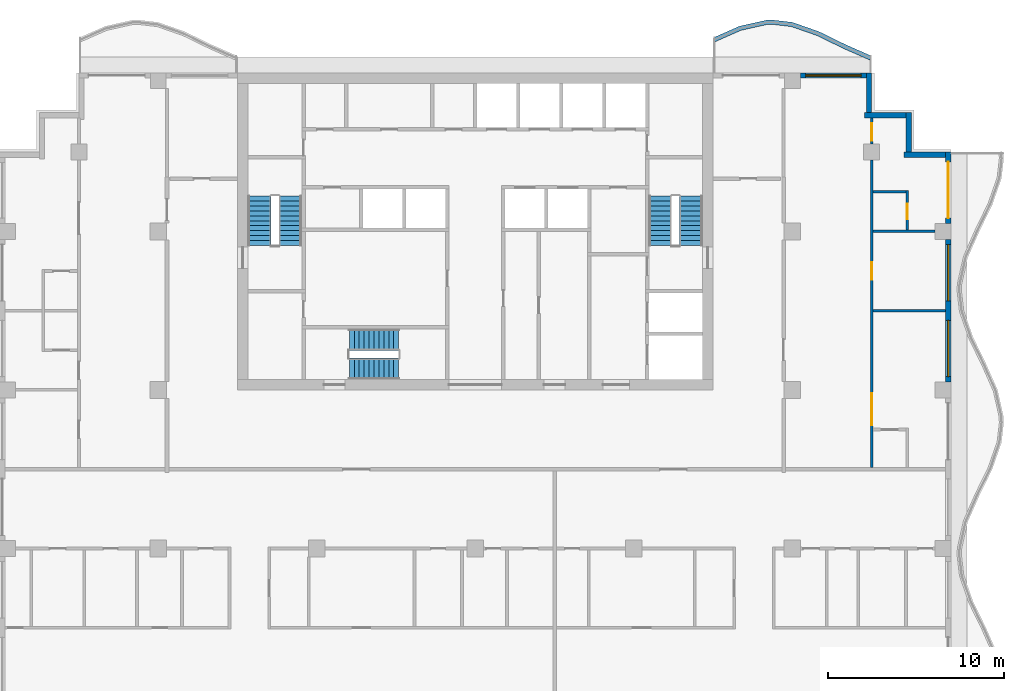
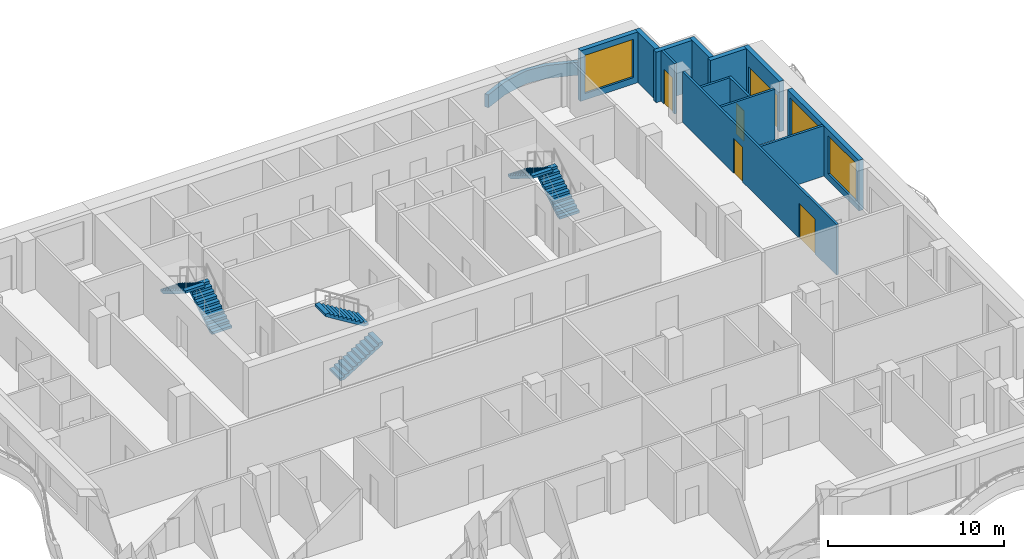
# One storey, part 7 of 11: 14 walls, 6 stair flights, 5 doors, 3 windows, 8 openings, 3 elements without a shape of their own.
"""IFC4 building model written with IfcOpenShell, lengths in metres."""

from ifc_helpers import new_model, si_unit, direction, frame, frame_2d, origin, place, context, subcontext, project, spatial, polyline, rectangle, outline, extrude, material, layer, layer_set, type_object, element, fill, aggregate, save


model = new_model("IFC4")

# Units and contexts
model_context = context("Model", 3, precision=1e-05, world=origin(), true_north=direction((0.0, 1.0)))
body_context = subcontext(model_context, "Body", "Model", "MODEL_VIEW")
ifc_project = project(units=[si_unit("LENGTHUNIT", "METRE"), si_unit("AREAUNIT", "SQUARE_METRE"), si_unit("VOLUMEUNIT", "CUBIC_METRE"), si_unit("PLANEANGLEUNIT", "RADIAN"), si_unit("MASSUNIT", "GRAM", prefix="KILO")], contexts=[model_context])

# Site, building, storey
site_placement = place(None, origin())
site = spatial("IfcSite", under=ifc_project, at=site_placement, CompositionType="ELEMENT")
building_placement = place(site_placement, origin())
building = spatial("IfcBuilding", under=site, at=building_placement, Name="Orbiselva Terraces", CompositionType="ELEMENT")
storey_placement = place(building_placement, frame((0.0, 0.0, 269.2)))
storey = spatial("IfcBuildingStorey", under=building, at=storey_placement, Name="L68", CompositionType="ELEMENT", Elevation=269.2)

# Wall
ifc_material_1 = material(Name="Concrete C40/50", Category="concrete")
ifc_layer_1 = layer(ifc_material_1, 0.25)
ifc_layer_set_1 = layer_set([ifc_layer_1], Name="Concrete C40/50")
wall_type_1 = type_object("IfcWallType", Name="ENV-PLANTER-250x900", PredefinedType="USERDEFINED", material=ifc_layer_set_1)
wall_1_placement = place(storey_placement, origin())
element("IfcWall", 1, at=wall_1_placement, inside=storey, type_object=wall_type_1, Name="Balcony planter L68 NE", ObjectType="PLANTER", PredefinedType="USERDEFINED", context=body_context, shape_type="SweptSolid", body=[
    extrude(outline(polyline([(22.5, 23.451472), (21.0, 24.112279), (19.5, 24.844789), (18.0, 25.369208), (16.875, 25.5), (16.5, 25.485226), (15.0, 25.148528), (13.5, 24.487721), (13.600788, 24.258938), (15.078508, 24.90993), (16.532565, 25.236315), (16.865428, 25.249429), (17.943629, 25.124078), (19.40356, 24.613667), (20.894714, 23.885477), (22.399212, 23.222689), (22.5, 23.451472)])), origin(), (0.0, 0.0, 1.0), 0.9),
])

# Wall, openings, windows
ifc_material_2 = material(Name="Terracotta cladding on masonry backing", Category="masonry")
ifc_layer_2 = layer(ifc_material_2, 0.3)
ifc_layer_set_2 = layer_set([ifc_layer_2], Name="Terracotta cladding on masonry backing")
wall_type_2 = type_object("IfcWallType", Name="ENV-WALL-TERRACOTTA-300", PredefinedType="SOLIDWALL", material=ifc_layer_set_2)
wall_2_placement = place(storey_placement, frame((26.85, 13.05, 0.0), z_axis=(0.0, 0.0, 1.0), x_axis=(0.0, -1.0, 0.0)))
wall_2 = element("IfcWall", 2, at=wall_2_placement, inside=storey, type_object=wall_type_2, Name="Facade wall L68 E", PredefinedType="SOLIDWALL", context=body_context, shape_type="SweptSolid", body=[
    extrude(rectangle(XDim=8.1, YDim=0.3, at=frame_2d((4.05, 0.0))), origin(), (0.0, 0.0, 1.0), 3.5),
])
opening_1_placement = place(wall_2_placement, frame((4.6, 0.0, 0.45)))
opening_1 = element("IfcOpeningElement", 3, at=opening_1_placement, cuts=wall_2, Name="Opening WN17", PredefinedType="OPENING", context=body_context, shape_type="SweptSolid", body=[
    extrude(rectangle(XDim=3.2, YDim=2.65, at=frame_2d((1.6, 1.325))), frame((0.0, 0.16, 0.0), z_axis=(0.0, -1.0, 0.0), x_axis=(1.0, 0.0, 0.0)), (0.0, 0.0, 1.0), 0.32),
])
opening_2_placement = place(wall_2_placement, frame((0.3, 0.0, 0.45)))
opening_2 = element("IfcOpeningElement", 4, at=opening_2_placement, cuts=wall_2, Name="Opening WN17", PredefinedType="OPENING", context=body_context, shape_type="SweptSolid", body=[
    extrude(rectangle(XDim=3.2, YDim=2.65, at=frame_2d((1.6, 1.325))), frame((0.0, 0.16, 0.0), z_axis=(0.0, -1.0, 0.0), x_axis=(1.0, 0.0, 0.0)), (0.0, 0.0, 1.0), 0.32),
])
ifc_material_3 = material(Name="Clear low-e glazing in aluminium frame", Category="aluminium")
window_type_1 = type_object("IfcWindowType", Name="WINDOW 3200 X 2650 S450", PartitioningType="TRIPLE_PANEL_VERTICAL", PredefinedType="WINDOW", material=ifc_material_3)
window_1_placement = place(opening_1_placement, origin())
window_1 = element("IfcWindow", 5, at=window_1_placement, inside=storey, type_object=window_type_1, Name="Window L68 E", OverallHeight=2.65, OverallWidth=3.2, PartitioningType="SINGLE_PANEL", PredefinedType="WINDOW", context=body_context, shape_type="SweptSolid", body=[
    extrude(rectangle(XDim=3.2, YDim=2.65, at=frame_2d((1.6, 1.325))), frame((0.0, 0.03, 0.0), z_axis=(0.0, -1.0, 0.0), x_axis=(1.0, 0.0, 0.0)), (0.0, 0.0, 1.0), 0.06),
])
fill(opening_1, window_1)
window_2_placement = place(opening_2_placement, origin())
window_2 = element("IfcWindow", 6, at=window_2_placement, inside=storey, type_object=window_type_1, Name="Window L68 E", OverallHeight=2.65, OverallWidth=3.2, PartitioningType="SINGLE_PANEL", PredefinedType="WINDOW", context=body_context, shape_type="SweptSolid", body=[
    extrude(rectangle(XDim=3.2, YDim=2.65, at=frame_2d((1.6, 1.325))), frame((0.0, 0.03, 0.0), z_axis=(0.0, -1.0, 0.0), x_axis=(1.0, 0.0, 0.0)), (0.0, 0.0, 1.0), 0.06),
])
fill(opening_2, window_2)

# Wall, opening, door
wall_3_placement = place(storey_placement, frame((26.85, 18.0, 0.0), z_axis=(0.0, 0.0, 1.0), x_axis=(0.0, -1.0, 0.0)))
wall_3 = element("IfcWall", 7, at=wall_3_placement, inside=storey, type_object=wall_type_2, Name="Facade wall L68 E", PredefinedType="SOLIDWALL", context=body_context, shape_type="SweptSolid", body=[
    extrude(rectangle(XDim=4.05, YDim=0.3, at=frame_2d((2.025, 0.0))), origin(), (0.0, 0.0, 1.0), 3.5),
])
opening_3_placement = place(wall_3_placement, frame((0.55, 0.0, 0.0)))
opening_3 = element("IfcOpeningElement", 8, at=opening_3_placement, cuts=wall_3, Name="Opening Z5-C-E17", PredefinedType="OPENING", context=body_context, shape_type="SweptSolid", body=[
    extrude(rectangle(XDim=3.2, YDim=2.4, at=frame_2d((1.6, 1.2))), frame((0.0, 0.16, 0.0), z_axis=(0.0, -1.0, 0.0), x_axis=(1.0, 0.0, 0.0)), (0.0, 0.0, 1.0), 0.32),
])
door_type_1 = type_object("IfcDoorType", Name="BALCONY DOOR 3200 X 2400", OperationType="DOUBLE_DOOR_SLIDING", PredefinedType="DOOR", material=ifc_material_3)
door_1_placement = place(opening_3_placement, origin())
door_1 = element("IfcDoor", 9, at=door_1_placement, inside=storey, type_object=door_type_1, Name="Z5-C-E17", OperationType="SINGLE_SWING_LEFT", OverallHeight=2.4, OverallWidth=3.2, PredefinedType="DOOR", context=body_context, shape_type="SweptSolid", body=[
    extrude(rectangle(XDim=3.2, YDim=2.4, at=frame_2d((1.6, 1.2))), frame((0.0, 0.025, 0.0), z_axis=(0.0, -1.0, 0.0), x_axis=(1.0, 0.0, 0.0)), (0.0, 0.0, 1.0), 0.05),
])
fill(opening_3, door_1)

# Walls
wall_4_placement = place(storey_placement, frame((24.35, 17.85, 0.0), z_axis=(0.0, 0.0, 1.0), x_axis=(1.0, 0.0, 0.0)))
element("IfcWall", 10, at=wall_4_placement, inside=storey, type_object=wall_type_2, Name="Facade wall L68 STEP", PredefinedType="SOLIDWALL", context=body_context, shape_type="SweptSolid", body=[
    extrude(rectangle(XDim=2.35, YDim=0.3, at=frame_2d((1.175, 0.0))), origin(), (0.0, 0.0, 1.0), 3.5),
])
wall_5_placement = place(storey_placement, frame((24.6, 20.25, 0.0), z_axis=(0.0, 0.0, 1.0), x_axis=(0.0, -1.0, 0.0)))
element("IfcWall", 11, at=wall_5_placement, inside=storey, type_object=wall_type_2, Name="Facade wall L68 STEP", PredefinedType="SOLIDWALL", context=body_context, shape_type="SweptSolid", body=[
    extrude(rectangle(XDim=2.25, YDim=0.3, at=frame_2d((1.125, 0.0))), origin(), (0.0, 0.0, 1.0), 3.5),
])
wall_6_placement = place(storey_placement, frame((22.1, 20.1, 0.0), z_axis=(0.0, 0.0, 1.0), x_axis=(1.0, 0.0, 0.0)))
element("IfcWall", 12, at=wall_6_placement, inside=storey, type_object=wall_type_2, Name="Facade wall L68 STEP", PredefinedType="SOLIDWALL", context=body_context, shape_type="SweptSolid", body=[
    extrude(rectangle(XDim=2.35, YDim=0.3, at=frame_2d((1.175, 0.0))), origin(), (0.0, 0.0, 1.0), 3.5),
])
wall_7_placement = place(storey_placement, frame((22.35, 22.5, 0.0), z_axis=(0.0, 0.0, 1.0), x_axis=(0.0, -1.0, 0.0)))
element("IfcWall", 13, at=wall_7_placement, inside=storey, type_object=wall_type_2, Name="Facade wall L68 STEP", PredefinedType="SOLIDWALL", context=body_context, shape_type="SweptSolid", body=[
    extrude(rectangle(XDim=2.25, YDim=0.3, at=frame_2d((1.125, 0.0))), origin(), (0.0, 0.0, 1.0), 3.5),
])

# Wall, opening, window
wall_8_placement = place(storey_placement, frame((18.45, 22.35, 0.0), z_axis=(0.0, 0.0, 1.0), x_axis=(1.0, 0.0, 0.0)))
wall_8 = element("IfcWall", 14, at=wall_8_placement, inside=storey, type_object=wall_type_2, Name="Facade wall L68 NE", PredefinedType="SOLIDWALL", context=body_context, shape_type="SweptSolid", body=[
    extrude(rectangle(XDim=3.75, YDim=0.3, at=frame_2d((1.875, 0.0))), origin(), (0.0, 0.0, 1.0), 3.5),
])
opening_4_placement = place(wall_8_placement, frame((0.3, 0.0, 0.45)))
opening_4 = element("IfcOpeningElement", 15, at=opening_4_placement, cuts=wall_8, Name="Opening WN16", PredefinedType="OPENING", context=body_context, shape_type="SweptSolid", body=[
    extrude(rectangle(XDim=3.15, YDim=2.65, at=frame_2d((1.575, 1.325))), frame((0.0, 0.16, 0.0), z_axis=(0.0, -1.0, 0.0), x_axis=(1.0, 0.0, 0.0)), (0.0, 0.0, 1.0), 0.32),
])
window_type_2 = type_object("IfcWindowType", Name="WINDOW 3150 X 2650 S450", PartitioningType="TRIPLE_PANEL_VERTICAL", PredefinedType="WINDOW", material=ifc_material_3)
window_3_placement = place(opening_4_placement, origin())
window_3 = element("IfcWindow", 16, at=window_3_placement, inside=storey, type_object=window_type_2, Name="Window L68 NE", OverallHeight=2.65, OverallWidth=3.15, PartitioningType="SINGLE_PANEL", PredefinedType="WINDOW", context=body_context, shape_type="SweptSolid", body=[
    extrude(rectangle(XDim=3.15, YDim=2.65, at=frame_2d((1.575, 1.325))), frame((0.0, 0.03, 0.0), z_axis=(0.0, -1.0, 0.0), x_axis=(1.0, 0.0, 0.0)), (0.0, 0.0, 1.0), 0.06),
])
fill(opening_4, window_3)

# Walls
ifc_material_4 = material(Name="Plasterboard on steel stud partition", Category="steel")
ifc_layer_3 = layer(ifc_material_4, 0.15)
ifc_layer_set_3 = layer_set([ifc_layer_3], Name="Plasterboard on steel stud partition")
wall_type_3 = type_object("IfcWallType", Name="UNIT-PARTITION-150", PredefinedType="PARTITIONING", material=ifc_layer_set_3)
wall_9_placement = place(storey_placement, frame((22.575, 9.0, 0.0), z_axis=(0.0, 0.0, 1.0), x_axis=(1.0, 0.0, 0.0)))
element("IfcWall", 17, at=wall_9_placement, inside=storey, type_object=wall_type_3, Name="PARTITION L68-037", PredefinedType="PARTITIONING", context=body_context, shape_type="SweptSolid", body=[
    extrude(rectangle(XDim=4.125, YDim=0.15, at=frame_2d((2.0625, 0.0))), origin(), (0.0, 0.0, 1.0), 3.5),
])
wall_10_placement = place(storey_placement, frame((22.575, 13.5, 0.0), z_axis=(0.0, 0.0, 1.0), x_axis=(1.0, 0.0, 0.0)))
element("IfcWall", 18, at=wall_10_placement, inside=storey, type_object=wall_type_3, Name="PARTITION L68-039", PredefinedType="PARTITIONING", context=body_context, shape_type="SweptSolid", body=[
    extrude(rectangle(XDim=3.525, YDim=0.15, at=frame_2d((1.7625, 0.0))), origin(), (0.0, 0.0, 1.0), 3.5),
])
wall_11_placement = place(storey_placement, frame((22.575, 15.75, 0.0), z_axis=(0.0, 0.0, 1.0), x_axis=(1.0, 0.0, 0.0)))
element("IfcWall", 19, at=wall_11_placement, inside=storey, type_object=wall_type_3, Name="PARTITION L68-040", PredefinedType="PARTITIONING", context=body_context, shape_type="SweptSolid", body=[
    extrude(rectangle(XDim=1.875, YDim=0.15, at=frame_2d((0.9375, 0.0))), origin(), (0.0, 0.0, 1.0), 3.5),
])

# Wall, openings, doors
wall_12_placement = place(storey_placement, frame((22.5, 17.55, 0.0), z_axis=(0.0, 0.0, 1.0), x_axis=(0.0, -1.0, 0.0)))
wall_12 = element("IfcWall", 20, at=wall_12_placement, inside=storey, type_object=wall_type_3, Name="PARTITION L68-089", PredefinedType="PARTITIONING", context=body_context, shape_type="SweptSolid", body=[
    extrude(rectangle(XDim=17.45, YDim=0.15, at=frame_2d((8.725, 0.0))), origin(), (0.0, 0.0, 1.0), 3.5),
])
opening_5_placement = place(wall_12_placement, frame((13.25, 0.0, 0.0)))
opening_5 = element("IfcOpeningElement", 21, at=opening_5_placement, cuts=wall_12, Name="Opening Z5-C-10", PredefinedType="OPENING", context=body_context, shape_type="SweptSolid", body=[
    extrude(rectangle(XDim=1.8, YDim=2.4, at=frame_2d((0.9, 1.2))), frame((0.0, 0.085, 0.0), z_axis=(0.0, -1.0, 0.0), x_axis=(1.0, 0.0, 0.0)), (0.0, 0.0, 1.0), 0.17),
])
opening_6_placement = place(wall_12_placement, frame((5.8, 0.0, 0.0)))
opening_6 = element("IfcOpeningElement", 22, at=opening_6_placement, cuts=wall_12, Name="Opening Z5-C-12", PredefinedType="OPENING", context=body_context, shape_type="SweptSolid", body=[
    extrude(rectangle(XDim=1.0, YDim=2.4, at=frame_2d((0.5, 1.2))), frame((0.0, 0.085, 0.0), z_axis=(0.0, -1.0, 0.0), x_axis=(1.0, 0.0, 0.0)), (0.0, 0.0, 1.0), 0.17),
])
ifc_material_5 = material(Name="Painted timber door leaf", Category="wood")
door_type_2 = type_object("IfcDoorType", Name="DOUBLE DOOR 1800", OperationType="NOTDEFINED", PredefinedType="DOOR", material=ifc_material_5)
door_2_placement = place(opening_5_placement, origin())
door_2 = element("IfcDoor", 23, at=door_2_placement, inside=storey, type_object=door_type_2, Name="Z5-C-10", OperationType="DOUBLE_DOOR_SINGLE_SWING", OverallHeight=2.4, OverallWidth=1.8, PredefinedType="DOOR", context=body_context, shape_type="SweptSolid", body=[
    extrude(rectangle(XDim=1.8, YDim=2.4, at=frame_2d((0.9, 1.2))), frame((0.0, 0.025, 0.0), z_axis=(0.0, -1.0, 0.0), x_axis=(1.0, 0.0, 0.0)), (0.0, 0.0, 1.0), 0.05),
])
fill(opening_5, door_2)
door_type_3 = type_object("IfcDoorType", Name="ROOM DOOR 1000", OperationType="NOTDEFINED", PredefinedType="DOOR", material=ifc_material_5)
door_3_placement = place(opening_6_placement, origin())
door_3 = element("IfcDoor", 24, at=door_3_placement, inside=storey, type_object=door_type_3, Name="Z5-C-12", OperationType="SINGLE_SWING_LEFT", OverallHeight=2.4, OverallWidth=1.0, PredefinedType="DOOR", context=body_context, shape_type="SweptSolid", body=[
    extrude(rectangle(XDim=1.0, YDim=2.4, at=frame_2d((0.5, 1.2))), frame((0.0, 0.025, 0.0), z_axis=(0.0, -1.0, 0.0), x_axis=(1.0, 0.0, 0.0)), (0.0, 0.0, 1.0), 0.05),
])
fill(opening_6, door_3)

# Wall, opening, door
wall_13_placement = place(storey_placement, frame((22.5, 19.95, 0.0), z_axis=(0.0, 0.0, 1.0), x_axis=(0.0, -1.0, 0.0)))
wall_13 = element("IfcWall", 25, at=wall_13_placement, inside=storey, type_object=wall_type_3, Name="PARTITION L68-090", PredefinedType="PARTITIONING", context=body_context, shape_type="SweptSolid", body=[
    extrude(rectangle(XDim=1.5, YDim=0.15, at=frame_2d((0.75, 0.0))), origin(), (0.0, 0.0, 1.0), 3.5),
])
opening_7_placement = place(wall_13_placement, frame((0.3, 0.0, 0.0)))
opening_7 = element("IfcOpeningElement", 26, at=opening_7_placement, cuts=wall_13, Name="Opening Z5-C-13", PredefinedType="OPENING", context=body_context, shape_type="SweptSolid", body=[
    extrude(rectangle(XDim=1.0, YDim=2.4, at=frame_2d((0.5, 1.2))), frame((0.0, 0.085, 0.0), z_axis=(0.0, -1.0, 0.0), x_axis=(1.0, 0.0, 0.0)), (0.0, 0.0, 1.0), 0.17),
])
door_4_placement = place(opening_7_placement, origin())
door_4 = element("IfcDoor", 27, at=door_4_placement, inside=storey, type_object=door_type_3, Name="Z5-C-13", OperationType="SINGLE_SWING_RIGHT", OverallHeight=2.4, OverallWidth=1.0, PredefinedType="DOOR", context=body_context, shape_type="SweptSolid", body=[
    extrude(rectangle(XDim=1.0, YDim=2.4, at=frame_2d((0.5, 1.2))), frame((0.0, 0.025, 0.0), z_axis=(0.0, -1.0, 0.0), x_axis=(1.0, 0.0, 0.0)), (0.0, 0.0, 1.0), 0.05),
])
fill(opening_7, door_4)

wall_14_placement = place(storey_placement, frame((24.525, 13.575, 0.0), z_axis=(0.0, 0.0, 1.0), x_axis=(0.0, 1.0, 0.0)))
wall_14 = element("IfcWall", 28, at=wall_14_placement, inside=storey, type_object=wall_type_3, Name="PARTITION L68-093", PredefinedType="PARTITIONING", context=body_context, shape_type="SweptSolid", body=[
    extrude(rectangle(XDim=2.25, YDim=0.15, at=frame_2d((1.125, 0.0))), origin(), (0.0, 0.0, 1.0), 3.5),
])
opening_8_placement = place(wall_14_placement, frame((0.6, 0.0, 0.0)))
opening_8 = element("IfcOpeningElement", 29, at=opening_8_placement, cuts=wall_14, Name="Opening Z5-C-14", PredefinedType="OPENING", context=body_context, shape_type="SweptSolid", body=[
    extrude(rectangle(XDim=0.9, YDim=2.1, at=frame_2d((0.45, 1.05))), frame((0.0, 0.085, 0.0), z_axis=(0.0, -1.0, 0.0), x_axis=(1.0, 0.0, 0.0)), (0.0, 0.0, 1.0), 0.17),
])
door_type_4 = type_object("IfcDoorType", Name="BATH DOOR 900", OperationType="NOTDEFINED", PredefinedType="DOOR", material=ifc_material_5)
door_5_placement = place(opening_8_placement, origin())
door_5 = element("IfcDoor", 30, at=door_5_placement, inside=storey, type_object=door_type_4, Name="Z5-C-14", OperationType="SINGLE_SWING_LEFT", OverallHeight=2.1, OverallWidth=0.9, PredefinedType="DOOR", context=body_context, shape_type="SweptSolid", body=[
    extrude(rectangle(XDim=0.9, YDim=2.1, at=frame_2d((0.45, 1.05))), frame((0.0, 0.025, 0.0), z_axis=(0.0, -1.0, 0.0), x_axis=(1.0, 0.0, 0.0)), (0.0, 0.0, 1.0), 0.05),
])
fill(opening_8, door_5)

# Stair, stair flights
stair_type_1 = type_object("IfcStairType", Name="CORE-STAIR-1200", PredefinedType="HALF_TURN_STAIR", material=ifc_material_1)
stair_1_placement = place(storey_placement, origin())
stair_1 = element("IfcStair", 31, at=stair_1_placement, inside=storey, type_object=stair_type_1, Name="L68 Exit Stair S3", PredefinedType="HALF_TURN_STAIR")
stair_flight_type_1 = type_object("IfcStairFlightType", Name="CORE-STAIR-FLIGHT-1200", PredefinedType="STRAIGHT", material=ifc_material_1)
stair_flight_1_placement = place(storey_placement, frame((-7.15, 5.7, 0.0), z_axis=(0.0, 0.0, 1.0), x_axis=(1.0, 0.0, 0.0)))
stair_flight_1 = element("IfcStairFlight", 32, at=stair_flight_1_placement, type_object=stair_flight_type_1, Name="S3 flight 1", NumberOfRisers=11, NumberOfTreads=10, PredefinedType="STRAIGHT", RiserHeight=0.172727273, TreadLength=0.28, context=body_context, shape_type="SweptSolid", body=[
    extrude(outline(polyline([(0.0, 0.0), (0.0, 0.172727), (0.28, 0.172727), (0.28, 0.345455), (0.56, 0.345455), (0.56, 0.518182), (0.84, 0.518182), (0.84, 0.690909), (1.12, 0.690909), (1.12, 0.863636), (1.4, 0.863636), (1.4, 1.036364), (1.68, 1.036364), (1.68, 1.209091), (1.96, 1.209091), (1.96, 1.381818), (2.24, 1.381818), (2.24, 1.554545), (2.52, 1.554545), (2.52, 1.727273), (2.8, 1.727273), (2.8, 1.9), (2.8, 1.551028), (0.285702, 0.0), (0.0, 0.0)])), frame((0.0, 0.6, 0.0), z_axis=(0.0, -1.0, 0.0), x_axis=(1.0, 0.0, 0.0)), (0.0, 0.0, 1.0), 1.2),
])
stair_flight_2_placement = place(storey_placement, frame((-4.35, 7.35, 1.9), z_axis=(0.0, 0.0, 1.0), x_axis=(-1.0, 0.0, 0.0)))
stair_flight_2 = element("IfcStairFlight", 33, at=stair_flight_2_placement, type_object=stair_flight_type_1, Name="S3 flight 2", NumberOfRisers=11, NumberOfTreads=10, PredefinedType="STRAIGHT", RiserHeight=0.172727273, TreadLength=0.28, context=body_context, shape_type="SweptSolid", body=[
    extrude(outline(polyline([(0.0, 0.0), (0.0, 0.172727), (0.28, 0.172727), (0.28, 0.345455), (0.56, 0.345455), (0.56, 0.518182), (0.84, 0.518182), (0.84, 0.690909), (1.12, 0.690909), (1.12, 0.863636), (1.4, 0.863636), (1.4, 1.036364), (1.68, 1.036364), (1.68, 1.209091), (1.96, 1.209091), (1.96, 1.381818), (2.24, 1.381818), (2.24, 1.554545), (2.52, 1.554545), (2.52, 1.727273), (2.8, 1.727273), (2.8, 1.9), (2.8, 1.551028), (0.285702, 0.0), (0.0, 0.0)])), frame((0.0, 0.6, 0.0), z_axis=(0.0, -1.0, 0.0), x_axis=(1.0, 0.0, 0.0)), (0.0, 0.0, 1.0), 1.2),
])
aggregate(stair_1, [stair_flight_1, stair_flight_2])

stair_type_2 = type_object("IfcStairType", Name="CORE-STAIR-1300", PredefinedType="HALF_TURN_STAIR", material=ifc_material_1)
stair_2_placement = place(storey_placement, origin())
stair_2 = element("IfcStair", 34, at=stair_2_placement, inside=storey, type_object=stair_type_2, Name="L68 Exit Stair S1", PredefinedType="HALF_TURN_STAIR")
stair_flight_type_2 = type_object("IfcStairFlightType", Name="CORE-STAIR-FLIGHT-1300", PredefinedType="STRAIGHT", material=ifc_material_1)
stair_flight_3_placement = place(storey_placement, frame((-10.5, 12.7, 0.0), z_axis=(0.0, 0.0, 1.0), x_axis=(0.0, 1.0, 0.0)))
stair_flight_3 = element("IfcStairFlight", 35, at=stair_flight_3_placement, type_object=stair_flight_type_2, Name="S1 flight 1", NumberOfRisers=11, NumberOfTreads=10, PredefinedType="STRAIGHT", RiserHeight=0.172727273, TreadLength=0.28, context=body_context, shape_type="SweptSolid", body=[
    extrude(outline(polyline([(0.0, 0.0), (0.0, 0.172727), (0.28, 0.172727), (0.28, 0.345455), (0.56, 0.345455), (0.56, 0.518182), (0.84, 0.518182), (0.84, 0.690909), (1.12, 0.690909), (1.12, 0.863636), (1.4, 0.863636), (1.4, 1.036364), (1.68, 1.036364), (1.68, 1.209091), (1.96, 1.209091), (1.96, 1.381818), (2.24, 1.381818), (2.24, 1.554545), (2.52, 1.554545), (2.52, 1.727273), (2.8, 1.727273), (2.8, 1.9), (2.8, 1.551028), (0.285702, 0.0), (0.0, 0.0)])), frame((0.0, 0.65, 0.0), z_axis=(0.0, -1.0, 0.0), x_axis=(1.0, 0.0, 0.0)), (0.0, 0.0, 1.0), 1.3),
])
stair_flight_4_placement = place(storey_placement, frame((-12.25, 15.5, 1.9), z_axis=(0.0, 0.0, 1.0), x_axis=(0.0, -1.0, 0.0)))
stair_flight_4 = element("IfcStairFlight", 36, at=stair_flight_4_placement, type_object=stair_flight_type_2, Name="S1 flight 2", NumberOfRisers=11, NumberOfTreads=10, PredefinedType="STRAIGHT", RiserHeight=0.172727273, TreadLength=0.28, context=body_context, shape_type="SweptSolid", body=[
    extrude(outline(polyline([(0.0, 0.0), (0.0, 0.172727), (0.28, 0.172727), (0.28, 0.345455), (0.56, 0.345455), (0.56, 0.518182), (0.84, 0.518182), (0.84, 0.690909), (1.12, 0.690909), (1.12, 0.863636), (1.4, 0.863636), (1.4, 1.036364), (1.68, 1.036364), (1.68, 1.209091), (1.96, 1.209091), (1.96, 1.381818), (2.24, 1.381818), (2.24, 1.554545), (2.52, 1.554545), (2.52, 1.727273), (2.8, 1.727273), (2.8, 1.9), (2.8, 1.551028), (0.285702, 0.0), (0.0, 0.0)])), frame((0.0, 0.65, 0.0), z_axis=(0.0, -1.0, 0.0), x_axis=(1.0, 0.0, 0.0)), (0.0, 0.0, 1.0), 1.3),
])
aggregate(stair_2, [stair_flight_3, stair_flight_4])

stair_3_placement = place(storey_placement, origin())
stair_3 = element("IfcStair", 37, at=stair_3_placement, inside=storey, type_object=stair_type_2, Name="L68 Exit Stair S2", PredefinedType="HALF_TURN_STAIR")
stair_flight_5_placement = place(storey_placement, frame((12.25, 12.7, 0.0), z_axis=(0.0, 0.0, 1.0), x_axis=(0.0, 1.0, 0.0)))
stair_flight_5 = element("IfcStairFlight", 38, at=stair_flight_5_placement, type_object=stair_flight_type_2, Name="S2 flight 1", NumberOfRisers=11, NumberOfTreads=10, PredefinedType="STRAIGHT", RiserHeight=0.172727273, TreadLength=0.28, context=body_context, shape_type="SweptSolid", body=[
    extrude(outline(polyline([(0.0, 0.0), (0.0, 0.172727), (0.28, 0.172727), (0.28, 0.345455), (0.56, 0.345455), (0.56, 0.518182), (0.84, 0.518182), (0.84, 0.690909), (1.12, 0.690909), (1.12, 0.863636), (1.4, 0.863636), (1.4, 1.036364), (1.68, 1.036364), (1.68, 1.209091), (1.96, 1.209091), (1.96, 1.381818), (2.24, 1.381818), (2.24, 1.554545), (2.52, 1.554545), (2.52, 1.727273), (2.8, 1.727273), (2.8, 1.9), (2.8, 1.551028), (0.285702, 0.0), (0.0, 0.0)])), frame((0.0, 0.65, 0.0), z_axis=(0.0, -1.0, 0.0), x_axis=(1.0, 0.0, 0.0)), (0.0, 0.0, 1.0), 1.3),
])
stair_flight_6_placement = place(storey_placement, frame((10.5, 15.5, 1.9), z_axis=(0.0, 0.0, 1.0), x_axis=(0.0, -1.0, 0.0)))
stair_flight_6 = element("IfcStairFlight", 39, at=stair_flight_6_placement, type_object=stair_flight_type_2, Name="S2 flight 2", NumberOfRisers=11, NumberOfTreads=10, PredefinedType="STRAIGHT", RiserHeight=0.172727273, TreadLength=0.28, context=body_context, shape_type="SweptSolid", body=[
    extrude(outline(polyline([(0.0, 0.0), (0.0, 0.172727), (0.28, 0.172727), (0.28, 0.345455), (0.56, 0.345455), (0.56, 0.518182), (0.84, 0.518182), (0.84, 0.690909), (1.12, 0.690909), (1.12, 0.863636), (1.4, 0.863636), (1.4, 1.036364), (1.68, 1.036364), (1.68, 1.209091), (1.96, 1.209091), (1.96, 1.381818), (2.24, 1.381818), (2.24, 1.554545), (2.52, 1.554545), (2.52, 1.727273), (2.8, 1.727273), (2.8, 1.9), (2.8, 1.551028), (0.285702, 0.0), (0.0, 0.0)])), frame((0.0, 0.65, 0.0), z_axis=(0.0, -1.0, 0.0), x_axis=(1.0, 0.0, 0.0)), (0.0, 0.0, 1.0), 1.3),
])
aggregate(stair_3, [stair_flight_5, stair_flight_6])

save(model, "model.ifc")
